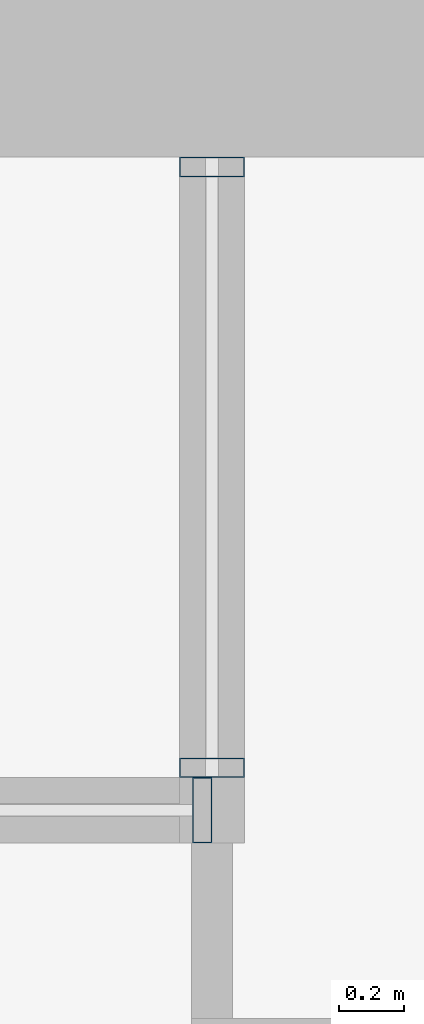
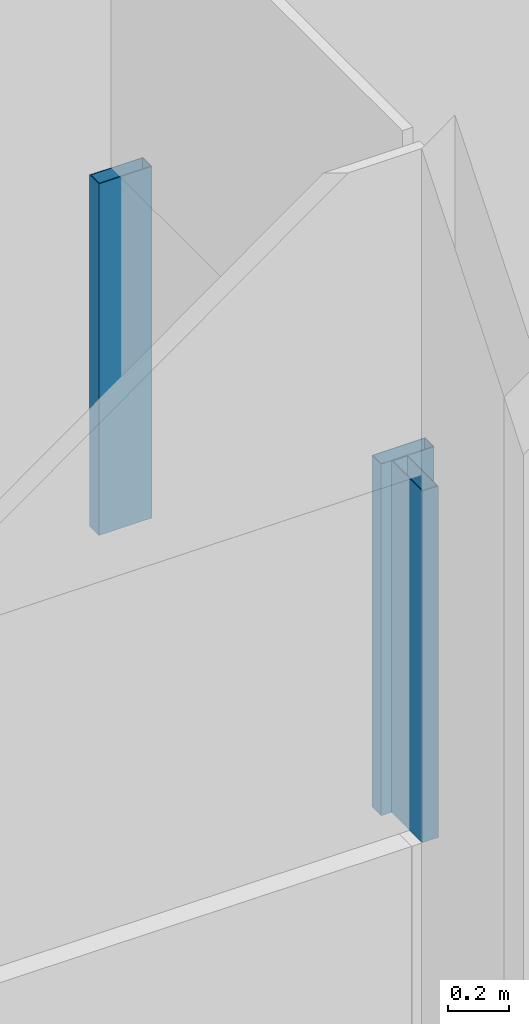
# One storey, part 7 of 48: 3 members, 2 elements without a shape of their own.
"""IFC4 building model written with IfcOpenShell, lengths in metres."""

from ifc_helpers import new_model, si_unit, direction, frame, origin, origin_2d, place, context, subcontext, project, spatial, hollow_rectangle, extrude, material, material_profile, profile_set, type_object, element, aggregate, save


model = new_model("IFC4")

# Units and contexts
model_context = context("Model", 3, precision=1e-05, world=origin(), true_north=direction((0.0, 1.0)))
body_context = subcontext(model_context, "Body", "Model", "MODEL_VIEW")
ifc_project = project(units=[si_unit("LENGTHUNIT", "METRE"), si_unit("AREAUNIT", "SQUARE_METRE"), si_unit("VOLUMEUNIT", "CUBIC_METRE"), si_unit("PLANEANGLEUNIT", "RADIAN"), si_unit("MASSUNIT", "GRAM", prefix="KILO")], contexts=[model_context])

# Site, building, storey
site_placement = place(None, origin())
site = spatial("IfcSite", under=ifc_project, at=site_placement, CompositionType="ELEMENT")
building_placement = place(site_placement, origin())
building = spatial("IfcBuilding", under=site, at=building_placement, Name="Altepetl Exchange Towers", CompositionType="ELEMENT")
storey_placement = place(building_placement, frame((0.0, 0.0, 138.800048828125)))
storey = spatial("IfcBuildingStorey", under=building, at=storey_placement, Name="L34 Refuge and sky lobby", CompositionType="ELEMENT", Elevation=138.800048828125)

# Curtain wall, members
ifc_material_1 = material(Name="Aluminium 6063-T6 glazing", Category="aluminium")
curtain_wall_type = type_object("IfcCurtainWallType", Name="Refuge slit glazing system", PredefinedType="NOTDEFINED", material=ifc_material_1)
curtain_wall_1_placement = place(storey_placement, origin())
curtain_wall_1 = element("IfcCurtainWall", 1, at=curtain_wall_1_placement, inside=storey, type_object=curtain_wall_type, Name="CW3 run", PredefinedType="NOTDEFINED")
ifc_material_2 = material(Name="Aluminium 6063-T6", Category="aluminium")
ifc_material_profile = material_profile(ifc_material_2, hollow_rectangle(XDim=0.06005859375, YDim=0.199951171875, WallThickness=0.0029296875, at=origin_2d()), Name="Mullion 60x200 aluminium")
ifc_profile_set = profile_set([ifc_material_profile], Name="Aluminium 6063-T6")
member_type = type_object("IfcMemberType", Name="Mullion 60x200 aluminium", PredefinedType="MULLION", material=ifc_profile_set)
member_1_placement = place(storey_placement, frame((42.5, 40.469970703125, 1.800048828125), z_axis=(0.0, 0.0, 1.0), x_axis=(0.0, -1.0, 0.0)))
member_1 = element("IfcMember", 2, at=member_1_placement, type_object=member_type, Name="MU2 mullion", PredefinedType="MULLION", context=body_context, shape_type="SweptSolid", body=[
    extrude(hollow_rectangle(XDim=0.06005859375, YDim=0.199951171875, WallThickness=0.0029296875, at=origin_2d()), origin(), (0.0, 0.0, 1.0), 1.39990234375),
])
member_2_placement = place(storey_placement, frame((42.5, 38.6298828125, 1.800048828125), z_axis=(0.0, 0.0, 1.0), x_axis=(0.0, -1.0, 0.0)))
member_2 = element("IfcMember", 3, at=member_2_placement, type_object=member_type, Name="MU2 mullion", PredefinedType="MULLION", context=body_context, shape_type="SweptSolid", body=[
    extrude(hollow_rectangle(XDim=0.06005859375, YDim=0.199951171875, WallThickness=0.0029296875, at=origin_2d()), origin(), (0.0, 0.0, 1.0), 1.39990234375),
])
aggregate(curtain_wall_1, [member_1, member_2])

# Curtain wall, member
curtain_wall_2_placement = place(storey_placement, origin())
curtain_wall_2 = element("IfcCurtainWall", 4, at=curtain_wall_2_placement, inside=storey, type_object=curtain_wall_type, Name="CW3 run", PredefinedType="NOTDEFINED")
member_3_placement = place(storey_placement, frame((42.469970703125, 38.5, 1.800048828125), z_axis=(0.0, 0.0, 1.0), x_axis=(-1.0, 0.0, 0.0)))
member_3 = element("IfcMember", 5, at=member_3_placement, type_object=member_type, Name="MU2 mullion", PredefinedType="MULLION", context=body_context, shape_type="SweptSolid", body=[
    extrude(hollow_rectangle(XDim=0.06005859375, YDim=0.199951171875, WallThickness=0.0029296875, at=origin_2d()), origin(), (0.0, 0.0, 1.0), 1.39990234375),
])
aggregate(curtain_wall_2, [member_3])

save(model, "model.ifc")
